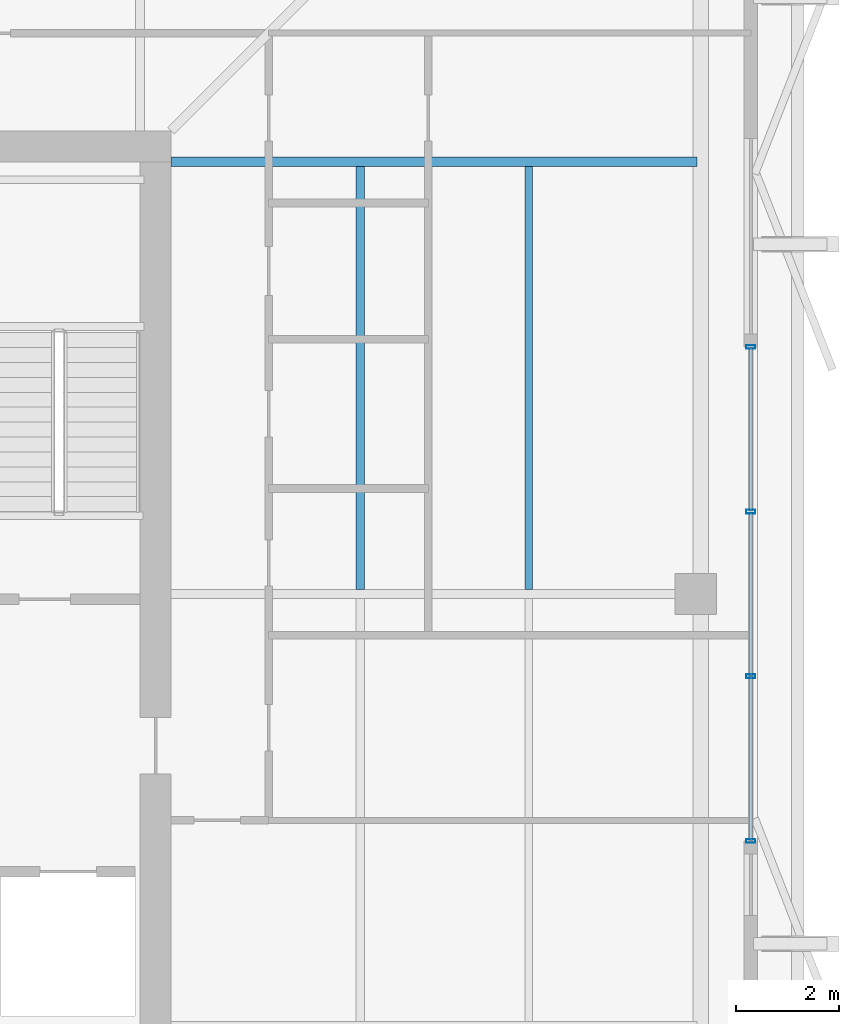
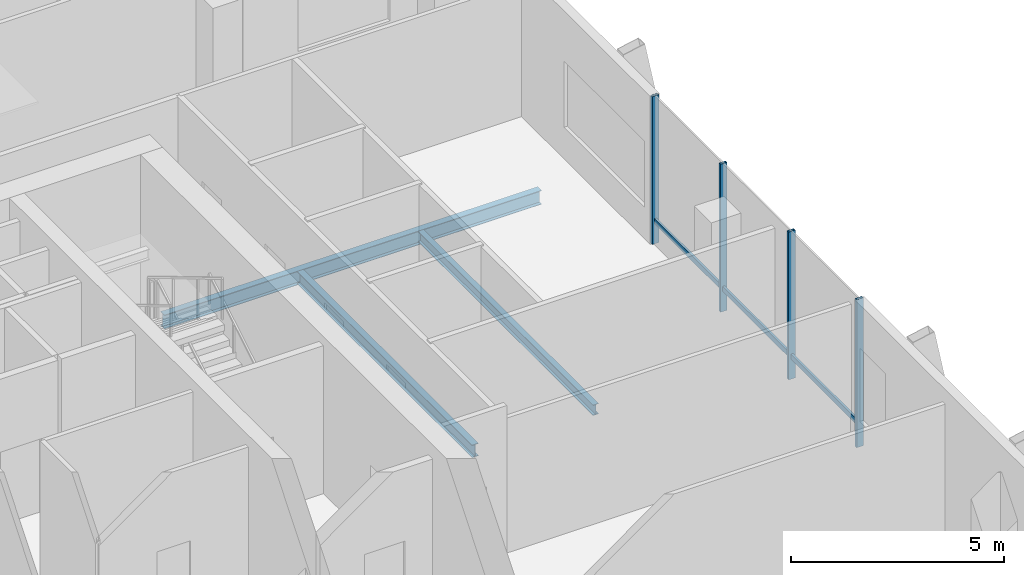
# One storey, part 8 of 17: 7 members, 3 beams, 1 element without a shape of its own.
"""IFC4 building model written with IfcOpenShell, lengths in metres."""

from ifc_helpers import new_model, si_unit, direction, frame, origin, origin_2d, place, context, subcontext, project, spatial, hollow_rectangle, i_section, extrude, material, layer, layer_set, material_profile, profile_set, type_object, element, aggregate, save


model = new_model("IFC4")

# Units and contexts
model_context = context("Model", 3, precision=1e-05, world=origin(), true_north=direction((0.0, 1.0)))
body_context = subcontext(model_context, "Body", "Model", "MODEL_VIEW")
ifc_project = project(units=[si_unit("LENGTHUNIT", "METRE"), si_unit("AREAUNIT", "SQUARE_METRE"), si_unit("VOLUMEUNIT", "CUBIC_METRE"), si_unit("PLANEANGLEUNIT", "RADIAN"), si_unit("MASSUNIT", "GRAM", prefix="KILO")], contexts=[model_context])

# Site, building, storey
site_placement = place(None, origin())
site = spatial("IfcSite", under=ifc_project, at=site_placement, CompositionType="ELEMENT")
building_placement = place(site_placement, origin())
building = spatial("IfcBuilding", under=site, at=building_placement, Name="Belovzor Exchange Tower", CompositionType="ELEMENT")
storey_placement = place(building_placement, frame((0.0, 0.0, 355.5)))
storey = spatial("IfcBuildingStorey", under=building, at=storey_placement, Name="L89", CompositionType="ELEMENT", Elevation=355.5)

# Beams
ifc_material_1 = material(Name="Steel S355", Category="steel")
ifc_material_profile_1 = material_profile(ifc_material_1, i_section(OverallWidth=0.169921875, OverallDepth=0.360107421875, WebThickness=0.008056640625, FlangeThickness=0.0126953125, at=origin_2d()))
ifc_profile_set_1 = profile_set([ifc_material_profile_1], Name="Steel S355")
beam_type_1 = type_object("IfcBeamType", Name="Secondary Infill Floor Joist IPE 360", PredefinedType="BEAM", material=ifc_profile_set_1)
beam_1_placement = place(storey_placement, frame((41.47998046875, 28.889892578125, -0.43994140625), z_axis=(0.0, 1.0, 0.0), x_axis=(-1.0, 0.0, 0.0)))
element("IfcBeam", 1, at=beam_1_placement, inside=storey, type_object=beam_type_1, Name="FJ-360 Secondary Infill Floor Joist IPE 360", PredefinedType="BEAM", context=body_context, shape_type="SweptSolid", body=[
    extrude(i_section(OverallWidth=0.169921875, OverallDepth=0.360107421875, WebThickness=0.008056640625, FlangeThickness=0.0126953125, at=origin_2d()), origin(), (0.0, 0.0, 1.0), 8.22021484375),
])
ifc_material_2 = material(Name="Steel S355", Category="steel")
ifc_material_profile_2 = material_profile(ifc_material_2, i_section(OverallWidth=0.14990234375, OverallDepth=0.300048828125, WebThickness=0.007080078125, FlangeThickness=0.0107421875, at=origin_2d()))
ifc_profile_set_2 = profile_set([ifc_material_profile_2], Name="Steel S355")
beam_type_2 = type_object("IfcBeamType", Name="Secondary Trim Floor Joist IPE 300", PredefinedType="BEAM", material=ifc_profile_set_2)
beam_2_placement = place(storey_placement, frame((44.751953125, 28.889892578125, -0.409912109375), z_axis=(0.0, 1.0, 0.0), x_axis=(-1.0, 0.0, 0.0)))
element("IfcBeam", 2, at=beam_2_placement, inside=storey, type_object=beam_type_2, Name="FJ-300 Secondary Trim Floor Joist IPE 300", PredefinedType="BEAM", context=body_context, shape_type="SweptSolid", body=[
    extrude(i_section(OverallWidth=0.14990234375, OverallDepth=0.300048828125, WebThickness=0.007080078125, FlangeThickness=0.0107421875, at=origin_2d()), origin(), (0.0, 0.0, 1.0), 8.22021484375),
])

# Curtain wall, members
ifc_material_3 = material(Name="Anodised Aluminium Framing", Category="aluminium")
ifc_layer = layer(ifc_material_3, 0.169921875)
ifc_layer_set = layer_set([ifc_layer], Name="Anodised Aluminium Framing")
curtain_wall_type = type_object("IfcCurtainWallType", Name="Stepped Crown Faceted Lantern Curtain Wall", PredefinedType="NOTDEFINED", material=ifc_layer_set)
curtain_wall_placement = place(storey_placement, origin())
curtain_wall = element("IfcCurtainWall", 3, at=curtain_wall_placement, inside=storey, type_object=curtain_wall_type, Name="CW6 Stepped Crown Faceted Lantern Curtain Wall L89", PredefinedType="NOTDEFINED")
ifc_material_4 = material(Name="Steel S355", Category="steel")
ifc_material_profile_3 = material_profile(ifc_material_4, hollow_rectangle(XDim=0.074951171875, YDim=0.179931640625, WallThickness=0.0048828125, at=origin_2d()))
ifc_profile_set_3 = profile_set([ifc_material_profile_3], Name="Steel S355")
member_type_1 = type_object("IfcMemberType", Name="Thermally Broken Curtain Wall Mullion 180x75", PredefinedType="MULLION", material=ifc_profile_set_3)
member_1_placement = place(storey_placement, frame((49.070068359375, 33.60009765625, 0.0), z_axis=(0.0, 0.0, 1.0), x_axis=(0.0, -1.0, 0.0)))
member_1 = element("IfcMember", 4, at=member_1_placement, type_object=member_type_1, Name="CW-M180 Curtain Wall Mullion 1", PredefinedType="MULLION", context=body_context, shape_type="SweptSolid", body=[
    extrude(hollow_rectangle(XDim=0.074951171875, YDim=0.179931640625, WallThickness=0.0048828125, at=origin_2d()), origin(), (0.0, 0.0, 1.0), 4.239990234375),
])
member_2_placement = place(storey_placement, frame((49.070068359375, 30.39990234375, 0.0), z_axis=(0.0, 0.0, 1.0), x_axis=(0.0, -1.0, 0.0)))
member_2 = element("IfcMember", 5, at=member_2_placement, type_object=member_type_1, Name="CW-M180 Curtain Wall Mullion 2", PredefinedType="MULLION", context=body_context, shape_type="SweptSolid", body=[
    extrude(hollow_rectangle(XDim=0.074951171875, YDim=0.179931640625, WallThickness=0.0048828125, at=origin_2d()), origin(), (0.0, 0.0, 1.0), 4.239990234375),
])
member_3_placement = place(storey_placement, frame((49.070068359375, 27.199951171875, 0.0), z_axis=(0.0, 0.0, 1.0), x_axis=(0.0, -1.0, 0.0)))
member_3 = element("IfcMember", 6, at=member_3_placement, type_object=member_type_1, Name="CW-M180 Curtain Wall Mullion 3", PredefinedType="MULLION", context=body_context, shape_type="SweptSolid", body=[
    extrude(hollow_rectangle(XDim=0.074951171875, YDim=0.179931640625, WallThickness=0.0048828125, at=origin_2d()), origin(), (0.0, 0.0, 1.0), 4.239990234375),
])
member_4_placement = place(storey_placement, frame((49.070068359375, 24.0, 0.0), z_axis=(0.0, 0.0, 1.0), x_axis=(0.0, -1.0, 0.0)))
member_4 = element("IfcMember", 7, at=member_4_placement, type_object=member_type_1, Name="CW-M180 Curtain Wall Mullion 4", PredefinedType="MULLION", context=body_context, shape_type="SweptSolid", body=[
    extrude(hollow_rectangle(XDim=0.074951171875, YDim=0.179931640625, WallThickness=0.0048828125, at=origin_2d()), origin(), (0.0, 0.0, 1.0), 4.239990234375),
])
ifc_material_5 = material(Name="Steel S355", Category="steel")
ifc_material_profile_4 = material_profile(ifc_material_5, hollow_rectangle(XDim=0.06005859375, YDim=0.14990234375, WallThickness=0.00390625, at=origin_2d()))
ifc_profile_set_4 = profile_set([ifc_material_profile_4], Name="Steel S355")
member_type_2 = type_object("IfcMemberType", Name="Thermally Broken Curtain Wall Transom 150x60", PredefinedType="USERDEFINED", material=ifc_profile_set_4)
member_5_placement = place(storey_placement, frame((49.070068359375, 33.592041015625, 0.64990234375), z_axis=(0.0, -1.0, 0.0), x_axis=(1.0, 0.0, 0.0)))
member_5 = element("IfcMember", 8, at=member_5_placement, type_object=member_type_2, Name="CW-T150 Curtain Wall Transom 1", ObjectType="TRANSOM", PredefinedType="USERDEFINED", context=body_context, shape_type="SweptSolid", body=[
    extrude(hollow_rectangle(XDim=0.06005859375, YDim=0.14990234375, WallThickness=0.00390625, at=origin_2d()), origin(), (0.0, 0.0, 1.0), 3.18408203125),
])
member_6_placement = place(storey_placement, frame((49.070068359375, 30.39208984375, 0.64990234375), z_axis=(0.0, -1.0, 0.0), x_axis=(1.0, 0.0, 0.0)))
member_6 = element("IfcMember", 9, at=member_6_placement, type_object=member_type_2, Name="CW-T150 Curtain Wall Transom 2", ObjectType="TRANSOM", PredefinedType="USERDEFINED", context=body_context, shape_type="SweptSolid", body=[
    extrude(hollow_rectangle(XDim=0.06005859375, YDim=0.14990234375, WallThickness=0.00390625, at=origin_2d()), origin(), (0.0, 0.0, 1.0), 3.18408203125),
])
member_7_placement = place(storey_placement, frame((49.070068359375, 27.19189453125, 0.64990234375), z_axis=(0.0, -1.0, 0.0), x_axis=(1.0, 0.0, 0.0)))
member_7 = element("IfcMember", 10, at=member_7_placement, type_object=member_type_2, Name="CW-T150 Curtain Wall Transom 3", ObjectType="TRANSOM", PredefinedType="USERDEFINED", context=body_context, shape_type="SweptSolid", body=[
    extrude(hollow_rectangle(XDim=0.06005859375, YDim=0.14990234375, WallThickness=0.00390625, at=origin_2d()), origin(), (0.0, 0.0, 1.0), 3.183837890625),
])
aggregate(curtain_wall, [member_1, member_2, member_3, member_4, member_5, member_6, member_7])

# Beam
ifc_material_6 = material(Name="Steel S355", Category="steel")
ifc_material_profile_5 = material_profile(ifc_material_6, i_section(OverallWidth=0.179931640625, OverallDepth=0.39990234375, WebThickness=0.008544921875, FlangeThickness=0.013427734375, at=origin_2d()))
ifc_profile_set_5 = profile_set([ifc_material_profile_5], Name="Steel S355")
beam_type_3 = type_object("IfcBeamType", Name="Zone 5-6 Radial Composite Floor Beam IPE 400", PredefinedType="BEAM", material=ifc_profile_set_5)
beam_3_placement = place(storey_placement, frame((37.800048828125, 37.199951171875, -0.4599609375), z_axis=(1.0, 0.0, 0.0), x_axis=(0.0, 1.0, 0.0)))
element("IfcBeam", 11, at=beam_3_placement, inside=storey, type_object=beam_type_3, Name="FB-400 Zone 5-6 Radial Composite Floor Beam IPE 400", PredefinedType="BEAM", context=body_context, shape_type="SweptSolid", body=[
    extrude(i_section(OverallWidth=0.179931640625, OverallDepth=0.39990234375, WebThickness=0.008544921875, FlangeThickness=0.013427734375, at=origin_2d()), origin(), (0.0, 0.0, 1.0), 10.222900390625),
])

save(model, "model.ifc")
